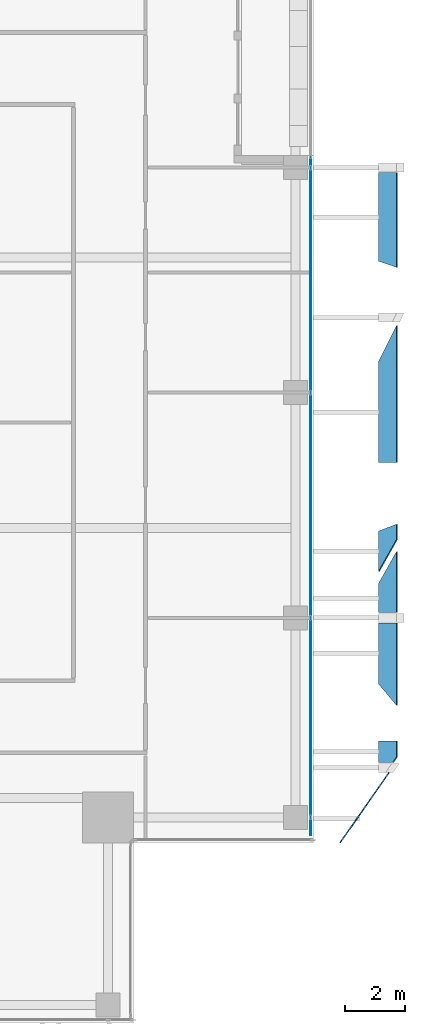
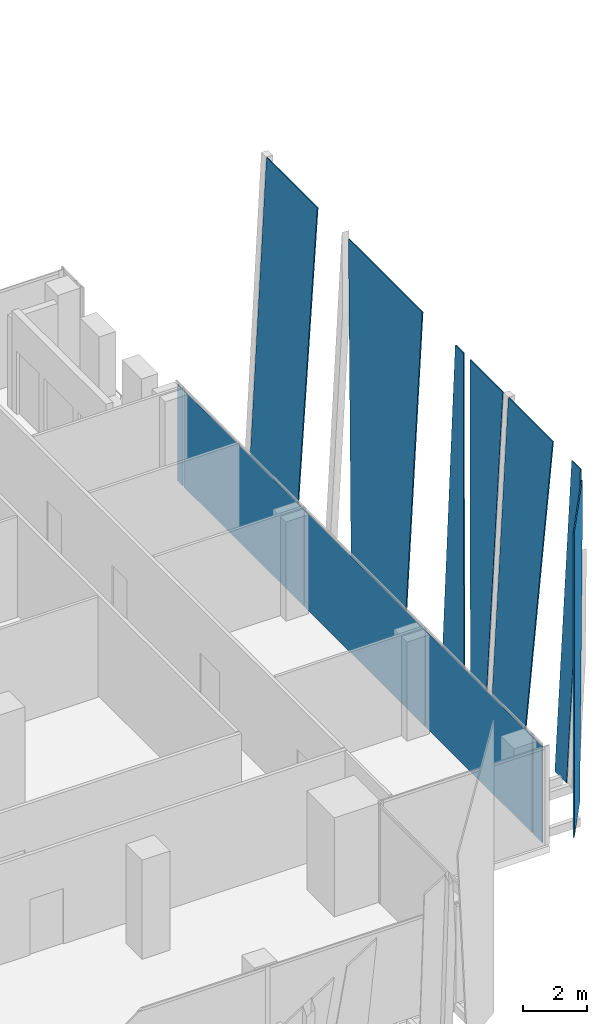
# One storey, part 23 of 32: 12 plates, 1 element without a shape of its own.
"""IFC4 building model written with IfcOpenShell, lengths in metres."""

from ifc_helpers import new_model, si_unit, direction, frame, origin, origin_2d, place, context, subcontext, project, spatial, polyline, rectangle, outline, extrude, source, transform, mapped, material, layer, layer_set, type_object, element, aggregate, save


model = new_model("IFC4")

# Units and contexts
model_context = context("Model", 3, precision=1e-05, world=origin(), true_north=direction((0.0, 1.0)))
body_context = subcontext(model_context, "Body", "Model", "MODEL_VIEW")
ifc_project = project(units=[si_unit("LENGTHUNIT", "METRE"), si_unit("AREAUNIT", "SQUARE_METRE"), si_unit("VOLUMEUNIT", "CUBIC_METRE"), si_unit("PLANEANGLEUNIT", "RADIAN"), si_unit("MASSUNIT", "GRAM", prefix="KILO")], contexts=[model_context])

# Site, building, storey
site_placement = place(None, origin())
site = spatial("IfcSite", under=ifc_project, at=site_placement, CompositionType="ELEMENT")
building_placement = place(site_placement, origin())
building = spatial("IfcBuilding", under=site, at=building_placement, Name="Khomas Fold Tower", CompositionType="ELEMENT")
storey_placement = place(building_placement, frame((0.0, 0.0, 306.199951171875)))
storey = spatial("IfcBuildingStorey", under=building, at=storey_placement, Name="L69", CompositionType="ELEMENT", Elevation=306.199951171875)

# Plates
ifc_material_1 = material(Name="Clear laminated glass", Category="glass")
ifc_layer_1 = layer(ifc_material_1, 0.0400390625)
ifc_layer_set_1 = layer_set([ifc_layer_1], Name="Clear laminated glass")
plate_type_1 = type_object("IfcPlateType", Name="SK-Clear laminated glass leaf", PredefinedType="SHEET", material=ifc_layer_set_1)
plate_1_placement = place(storey_placement, frame((50.15771484375, 15.39990234375, 0.0), z_axis=(-0.99862890442, 9.0146168e-05, 0.052347904736), x_axis=(-9.002257e-05, -0.999999995937, 4.718963e-06)))
element("IfcPlate", 1, at=plate_1_placement, inside=storey, type_object=plate_type_1, Name="OUTER SKIN glass L69 EG099-2", PredefinedType="SHEET", context=body_context, shape_type="SweptSolid", body=[
    extrude(outline(polyline([(0.0, 0.0), (0.7299804657839684, -6.183175078833882e-22), (0.7299804760490173, 8.938030146442532), (0.5332031212344294, 11.565907674669704), (-1.5990779674184062e-09, 11.565907674669704), (0.0, 0.0)])), origin(), (0.0, 0.0, -1.0), 0.0400390625),
])
plate_2_placement = place(storey_placement, frame((50.528076171875, 14.330078125, 11.550048828125), z_axis=(0.819699935765, -0.572793169731, 3.988578e-06), x_axis=(3.269438e-06, -2.284631e-06, -0.999999999992)))
element("IfcPlate", 2, at=plate_2_placement, inside=storey, type_object=plate_type_1, Name="OUTER SKIN glass L69 EG098-3", PredefinedType="SHEET", context=body_context, shape_type="SweptSolid", body=[
    extrude(outline(polyline([(0.0, 0.0), (1.80908203123561, 0.0), (11.550048828400621, -0.8913751039262813), (11.550048828188093, -2.8425717372979715), (1.5496668693178184e-10, -2.8425717372979715), (0.0, 0.0)])), origin(), (0.0, 0.0, -1.0), 0.0400390625),
])
plate_3_placement = place(storey_placement, frame((50.15771484375, 22.385986328125, 0.0), z_axis=(-0.99862882819, 0.0, 0.052349436554), x_axis=(0.0, -1.0, 0.0)))
element("IfcPlate", 3, at=plate_3_placement, inside=storey, type_object=plate_type_1, Name="OUTER SKIN glass L69 EG100-4", PredefinedType="SHEET", context=body_context, shape_type="SweptSolid", body=[
    extrude(outline(polyline([(0.0, 0.0), (1.34912109375, 0.0), (0.27294921875, 11.56590767468331), (-0.23388671875, 11.56590767468331), (0.0, 0.0)])), origin(), (0.0, 0.0, -1.0), 0.0400390625),
])
plate_4_placement = place(storey_placement, frame((50.15771484375, 17.30029296875, 0.0), z_axis=(-0.99862882819, 0.0, 0.052349436554), x_axis=(0.052247824406, -0.062276035864, 0.996690453552)))
element("IfcPlate", 4, at=plate_4_placement, inside=storey, type_object=plate_type_1, Name="OUTER SKIN glass L69 EG099-5", PredefinedType="SHEET", context=body_context, shape_type="SweptSolid", body=[
    extrude(outline(polyline([(0.0, 0.0), (11.588401180087285, 0.0), (11.41705085679879, 2.746124151072042), (-0.1264069731872715, 2.0258452699212914), (0.0, 0.0)])), origin(), (0.0, 0.0, -1.0), 0.0400390625),
])
plate_5_placement = place(storey_placement, frame((50.15771484375, 20.63525390625, 0.0), z_axis=(-0.99862882819, 0.0, 0.052349436554), x_axis=(0.0, -1.0, 0.0)))
element("IfcPlate", 5, at=plate_5_placement, inside=storey, type_object=plate_type_1, Name="OUTER SKIN glass L69 EG100-7", PredefinedType="SHEET", context=body_context, shape_type="SweptSolid", body=[
    extrude(outline(polyline([(0.0, 0.0), (0.96533203125, 0.0), (0.96533203125, 11.565907674683308), (-1.075927734375, 11.565907674683308), (0.0, 0.0)])), origin(), (0.0, 0.0, -1.0), 0.0400390625),
])
plate_6_placement = place(storey_placement, frame((50.15771484375, 28.02880859375, 0.0), z_axis=(-0.99862882819, 0.0, 0.052349436554), x_axis=(0.0, -1.0, 0.0)))
element("IfcPlate", 6, at=plate_6_placement, inside=storey, type_object=plate_type_1, Name="OUTER SKIN glass L69 EG101-9", PredefinedType="SHEET", context=body_context, shape_type="SweptSolid", body=[
    extrude(outline(polyline([(0.0, 0.0), (3.35888671875, 0.0), (3.35888671875, 11.565907674683308), (-1.217529296875, 11.565907674683308), (0.0, 0.0)])), origin(), (0.0, 0.0, -1.0), 0.0400390625),
])
plate_7_placement = place(storey_placement, frame((50.15771484375, 31.380126953125, 0.0), z_axis=(-0.99862882819, 0.0, 0.052349436554), x_axis=(0.052341442559, -0.01747528808, 0.998476333068)))
element("IfcPlate", 7, at=plate_7_placement, inside=storey, type_object=plate_type_1, Name="OUTER SKIN glass L69 EG102-10", PredefinedType="SHEET", context=body_context, shape_type="SweptSolid", body=[
    extrude(outline(polyline([(0.0, 0.0), (11.567674110644798, 0.0), (11.512590261913864, 3.151618269561055), (-0.05155124655068494, 2.9495007010383567), (0.0, 0.0)])), origin(), (0.0, 0.0, -1.0), 0.0400390625),
])

# Curtain wall, plates
ifc_material_2 = material(Name="Aluminium framed double glazing", Category="aluminium")
curtain_wall_type = type_object("IfcCurtainWallType", Name="SK-Unitised clear-glass wall, upper floors CW3", PredefinedType="NOTDEFINED", material=ifc_material_2)
curtain_wall_placement = place(storey_placement, origin())
curtain_wall = element("IfcCurtainWall", 8, at=curtain_wall_placement, inside=storey, type_object=curtain_wall_type, Name="CW3 run L69 03-0", PredefinedType="NOTDEFINED")
ifc_material_3 = material(Name="Clear double glazed unit")
ifc_layer_2 = layer(ifc_material_3, 0.028076171875)
ifc_layer_set_2 = layer_set([ifc_layer_2], Name="Clear double glazed unit")
plate_type_2 = type_object("IfcPlateType", Name="SK-Unitised clear-glass wall, upper floors glass panel CW3-P", PredefinedType="CURTAIN_PANEL", material=ifc_layer_set_2)
shared_shape_1 = source(origin(), body_context, "Body", "SweptSolid", [
    extrude(rectangle(XDim=0.574951171875, YDim=0.028076171875, at=origin_2d()), origin(), (0.0, 0.0, 1.0), 3.64990234375),
])
plate_8_placement = place(storey_placement, frame((47.89990234375, 12.53759765625, 0.0), z_axis=(0.0, 0.0, 1.0), x_axis=(0.0, 1.0, 0.0)))
plate_8 = element("IfcPlate", 9, at=plate_8_placement, type_object=plate_type_2, Name="CW3 glass panel 1", PredefinedType="CURTAIN_PANEL", context=body_context, shape_type="MappedRepresentation", body=[
    mapped(shared_shape_1, transform((0.0, 0.0, 0.0))),
])
shared_shape_2 = source(origin(), body_context, "Body", "SweptSolid", [
    extrude(rectangle(XDim=6.60009765625, YDim=0.028076171875, at=origin_2d()), origin(), (0.0, 0.0, 1.0), 3.64990234375),
])
plate_9_placement = place(storey_placement, frame((47.89990234375, 16.175048828125, 0.0), z_axis=(0.0, 0.0, 1.0), x_axis=(0.0, 1.0, 0.0)))
plate_9 = element("IfcPlate", 10, at=plate_9_placement, type_object=plate_type_2, Name="CW3 glass panel 2", PredefinedType="CURTAIN_PANEL", context=body_context, shape_type="MappedRepresentation", body=[
    mapped(shared_shape_2, transform((0.0, 0.0, 0.0))),
])
shared_shape_3 = source(origin(), body_context, "Body", "SweptSolid", [
    extrude(rectangle(XDim=7.449951171875, YDim=0.028076171875, at=origin_2d()), origin(), (0.0, 0.0, 1.0), 3.64990234375),
])
plate_10_placement = place(storey_placement, frame((47.89990234375, 23.25, 0.0), z_axis=(0.0, 0.0, 1.0), x_axis=(0.0, 1.0, 0.0)))
plate_10 = element("IfcPlate", 11, at=plate_10_placement, type_object=plate_type_2, Name="CW3 glass panel 3", PredefinedType="CURTAIN_PANEL", context=body_context, shape_type="MappedRepresentation", body=[
    mapped(shared_shape_3, transform((0.0, 0.0, 0.0))),
])
plate_11_placement = place(storey_placement, frame((47.89990234375, 30.75, 0.0), z_axis=(0.0, 0.0, 1.0), x_axis=(0.0, 1.0, 0.0)))
plate_11 = element("IfcPlate", 12, at=plate_11_placement, type_object=plate_type_2, Name="CW3 glass panel 4", PredefinedType="CURTAIN_PANEL", context=body_context, shape_type="MappedRepresentation", body=[
    mapped(shared_shape_3, transform((0.0, 0.0, 0.0))),
])
shared_shape_4 = source(origin(), body_context, "Body", "SweptSolid", [
    extrude(rectangle(XDim=0.324951171875, YDim=0.028076171875, at=origin_2d()), origin(), (0.0, 0.0, 1.0), 3.64990234375),
])
plate_12_placement = place(storey_placement, frame((47.89990234375, 34.6875, 0.0), z_axis=(0.0, 0.0, 1.0), x_axis=(0.0, 1.0, 0.0)))
plate_12 = element("IfcPlate", 13, at=plate_12_placement, type_object=plate_type_2, Name="CW3 glass panel 5", PredefinedType="CURTAIN_PANEL", context=body_context, shape_type="MappedRepresentation", body=[
    mapped(shared_shape_4, transform((0.0, 0.0, 0.0))),
])
aggregate(curtain_wall, [plate_8, plate_9, plate_10, plate_11, plate_12])

save(model, "model.ifc")
